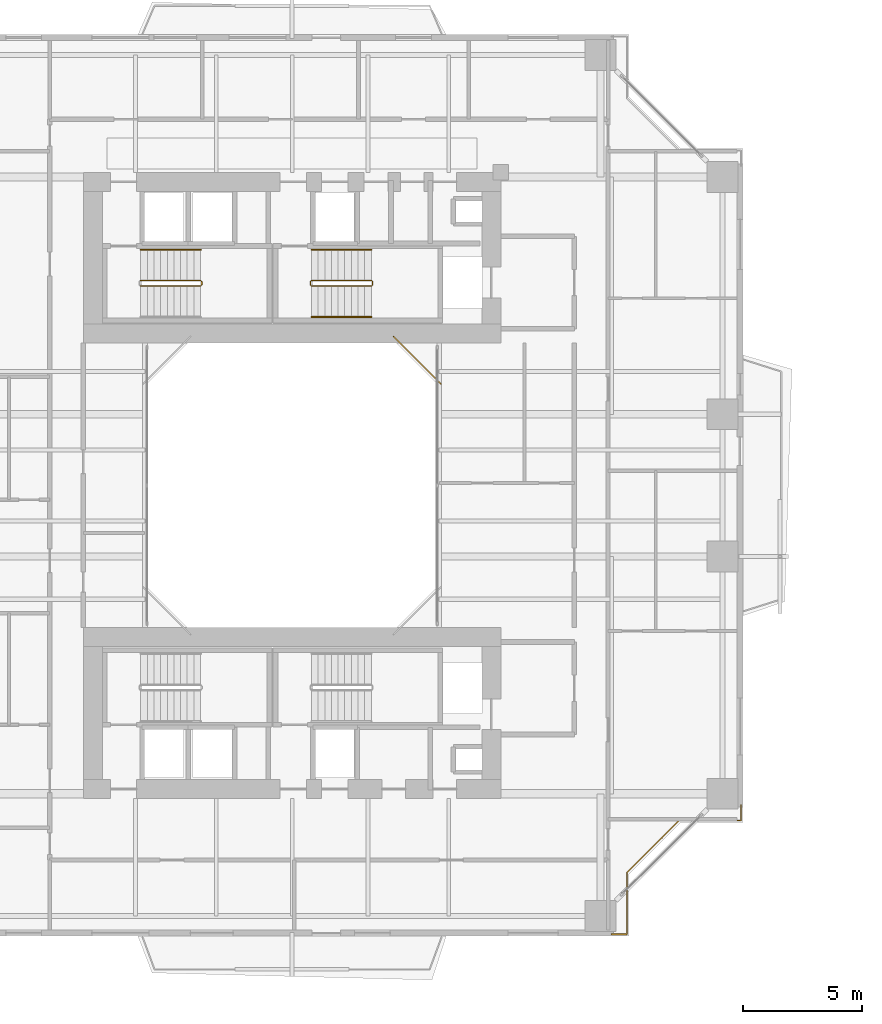
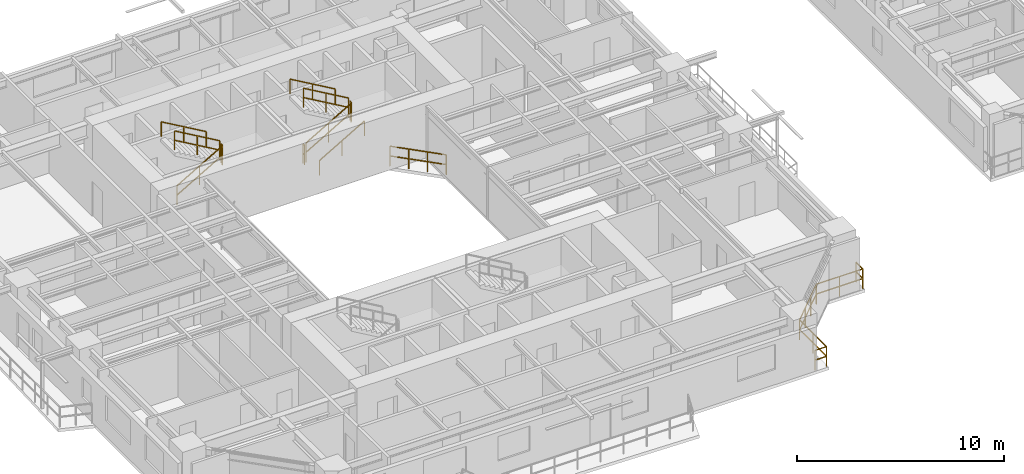
# One storey, part 20 of 24: 12 railings.
"""IFC4 building model written with IfcOpenShell, lengths in metres."""

from ifc_helpers import new_model, si_unit, direction, frame, origin, origin_2d, place, context, subcontext, project, spatial, rectangle, extrude, material, type_object, element, save


model = new_model("IFC4")

# Units and contexts
model_context = context("Model", 3, precision=1e-05, world=origin(), true_north=direction((0.0, 1.0)))
body_context = subcontext(model_context, "Body", "Model", "MODEL_VIEW")
ifc_project = project(units=[si_unit("LENGTHUNIT", "METRE"), si_unit("AREAUNIT", "SQUARE_METRE"), si_unit("VOLUMEUNIT", "CUBIC_METRE"), si_unit("PLANEANGLEUNIT", "RADIAN"), si_unit("MASSUNIT", "GRAM", prefix="KILO"), si_unit("THERMODYNAMICTEMPERATUREUNIT", "KELVIN"), si_unit("POWERUNIT", "WATT")], contexts=[model_context])

# Site, building, storey
site_placement = place(None, origin())
site = spatial("IfcSite", under=ifc_project, at=site_placement, CompositionType="ELEMENT")
building_placement = place(site_placement, origin())
building = spatial("IfcBuilding", under=site, at=building_placement, Name="Qiaomeng Ring Towers", CompositionType="ELEMENT")
storey_placement = place(building_placement, frame((0.0, 0.0, 69.75)))
storey = spatial("IfcBuildingStorey", under=building, at=storey_placement, Name="L19", CompositionType="ELEMENT", Elevation=69.75)

# Railings
ifc_material_1 = material(Name="Low-E pale-green laminated safety glass", Category="glass")
railing_type_1 = type_object("IfcRailingType", Name="ARC-RL-BAL1", PredefinedType="BALUSTRADE", material=ifc_material_1)
railing_1_placement = place(storey_placement, frame((25.280029296875, 27.280029296875, 0.0)))
element("IfcRailing", 1, at=railing_1_placement, inside=storey, type_object=railing_type_1, Name="L19 Balustrade ARC-BAL-WELL1-L19-2", PredefinedType="BALUSTRADE", context=body_context, shape_type="SweptSolid", body=[
    extrude(rectangle(XDim=0.048095703125, YDim=0.048095703125, at=origin_2d()), frame((0.0, 0.0, 1.17578125), z_axis=(-0.707106781187, 0.707106781187, 0.0), x_axis=(-0.707106781187, -0.707106781187, 0.0)), (0.0, 0.0, 1.0), 2.828369140625),
    extrude(rectangle(XDim=0.048095703125, YDim=0.048095703125, at=origin_2d()), frame((0.0, 0.0, 0.60009765625), z_axis=(-0.707106781187, 0.707106781187, 0.0), x_axis=(-0.707106781187, -0.707106781187, 0.0)), (0.0, 0.0, 1.0), 2.828369140625),
    extrude(rectangle(XDim=0.0419921875, YDim=0.0419921875, at=origin_2d()), origin(), (0.0, 0.0, 1.0), 1.15185546875),
    extrude(rectangle(XDim=0.0419921875, YDim=0.0419921875, at=origin_2d()), frame((-0.666748046875, 0.666748046875, 0.0)), (0.0, 0.0, 1.0), 1.15185546875),
    extrude(rectangle(XDim=0.0419921875, YDim=0.0419921875, at=origin_2d()), frame((-1.333251953125, 1.333251953125, 0.0)), (0.0, 0.0, 1.0), 1.15185546875),
    extrude(rectangle(XDim=0.0419921875, YDim=0.0419921875, at=origin_2d()), frame((-2.0, 2.0, 0.0)), (0.0, 0.0, 1.0), 1.15185546875),
])
railing_2_placement = place(storey_placement, frame((32.469970703125, 4.080078125, 0.0)))
element("IfcRailing", 2, at=railing_2_placement, inside=storey, type_object=railing_type_1, Name="L19 Balustrade ARC-BAL-NOTCH1-L19-SE", PredefinedType="BALUSTRADE", context=body_context, shape_type="SweptSolid", body=[
    extrude(rectangle(XDim=0.048095703125, YDim=0.048095703125, at=origin_2d()), frame((0.0, 0.0, 1.17578125), z_axis=(1.0, 0.0, 0.0), x_axis=(0.0, 1.0, 0.0)), (0.0, 0.0, 1.0), 0.650146484375),
    extrude(rectangle(XDim=0.048095703125, YDim=0.048095703125, at=origin_2d()), frame((0.0, 0.0, 0.60009765625), z_axis=(1.0, 0.0, 0.0), x_axis=(0.0, 1.0, 0.0)), (0.0, 0.0, 1.0), 0.650146484375),
    extrude(rectangle(XDim=0.048095703125, YDim=0.048095703125, at=origin_2d()), frame((0.650146484375, 0.0, 1.17578125), z_axis=(0.0, 1.0, 0.0), x_axis=(-1.0, 0.0, 0.0)), (0.0, 0.0, 1.0), 2.599853515625),
    extrude(rectangle(XDim=0.048095703125, YDim=0.048095703125, at=origin_2d()), frame((0.650146484375, 0.0, 0.60009765625), z_axis=(0.0, 1.0, 0.0), x_axis=(-1.0, 0.0, 0.0)), (0.0, 0.0, 1.0), 2.599853515625),
    extrude(rectangle(XDim=0.048095703125, YDim=0.048095703125, at=origin_2d()), frame((0.650146484375, 2.599853515625, 1.17578125), z_axis=(0.707106781187, 0.707106781187, 0.0), x_axis=(-0.707106781187, 0.707106781187, 0.0)), (0.0, 0.0, 1.0), 3.111083984375),
    extrude(rectangle(XDim=0.048095703125, YDim=0.048095703125, at=origin_2d()), frame((0.650146484375, 2.599853515625, 0.60009765625), z_axis=(0.707106781187, 0.707106781187, 0.0), x_axis=(-0.707106781187, 0.707106781187, 0.0)), (0.0, 0.0, 1.0), 3.111083984375),
    extrude(rectangle(XDim=0.048095703125, YDim=0.048095703125, at=origin_2d()), frame((2.85009765625, 4.7998046875, 1.17578125), z_axis=(1.0, 0.0, 0.0), x_axis=(0.0, 1.0, 0.0)), (0.0, 0.0, 1.0), 2.599853515625),
    extrude(rectangle(XDim=0.048095703125, YDim=0.048095703125, at=origin_2d()), frame((2.85009765625, 4.7998046875, 0.60009765625), z_axis=(1.0, 0.0, 0.0), x_axis=(0.0, 1.0, 0.0)), (0.0, 0.0, 1.0), 2.599853515625),
    extrude(rectangle(XDim=0.048095703125, YDim=0.048095703125, at=origin_2d()), frame((5.449951171875, 4.7998046875, 1.17578125), z_axis=(0.0, 1.0, 0.0), x_axis=(-1.0, 0.0, 0.0)), (0.0, 0.0, 1.0), 0.650146484375),
    extrude(rectangle(XDim=0.048095703125, YDim=0.048095703125, at=origin_2d()), frame((5.449951171875, 4.7998046875, 0.60009765625), z_axis=(0.0, 1.0, 0.0), x_axis=(-1.0, 0.0, 0.0)), (0.0, 0.0, 1.0), 0.650146484375),
    extrude(rectangle(XDim=0.0419921875, YDim=0.0419921875, at=origin_2d()), origin(), (0.0, 0.0, 1.0), 1.15185546875),
    extrude(rectangle(XDim=0.0419921875, YDim=0.0419921875, at=origin_2d()), frame((0.650146484375, 0.0, 0.0)), (0.0, 0.0, 1.0), 1.15185546875),
    extrude(rectangle(XDim=0.0419921875, YDim=0.0419921875, at=origin_2d()), frame((0.650146484375, 1.2998046875, 0.0)), (0.0, 0.0, 1.0), 1.15185546875),
    extrude(rectangle(XDim=0.0419921875, YDim=0.0419921875, at=origin_2d()), frame((0.650146484375, 2.599853515625, 0.0)), (0.0, 0.0, 1.0), 1.15185546875),
    extrude(rectangle(XDim=0.0419921875, YDim=0.0419921875, at=origin_2d()), frame((1.383544921875, 3.333251953125, 0.0)), (0.0, 0.0, 1.0), 1.15185546875),
    extrude(rectangle(XDim=0.0419921875, YDim=0.0419921875, at=origin_2d()), frame((2.11669921875, 4.06640625, 0.0)), (0.0, 0.0, 1.0), 1.15185546875),
    extrude(rectangle(XDim=0.0419921875, YDim=0.0419921875, at=origin_2d()), frame((2.85009765625, 4.7998046875, 0.0)), (0.0, 0.0, 1.0), 1.15185546875),
    extrude(rectangle(XDim=0.0419921875, YDim=0.0419921875, at=origin_2d()), frame((4.14990234375, 4.7998046875, 0.0)), (0.0, 0.0, 1.0), 1.15185546875),
    extrude(rectangle(XDim=0.0419921875, YDim=0.0419921875, at=origin_2d()), frame((5.449951171875, 4.7998046875, 0.0)), (0.0, 0.0, 1.0), 1.15185546875),
    extrude(rectangle(XDim=0.0419921875, YDim=0.0419921875, at=origin_2d()), frame((5.449951171875, 5.449951171875, 0.0)), (0.0, 0.0, 1.0), 1.15185546875),
])
ifc_material_2 = material(Name="Galvanised steel", Category="steel")
railing_type_2 = type_object("IfcRailingType", Name="ARC-RL-GUARD", PredefinedType="GUARDRAIL", material=ifc_material_2)
railing_3_placement = place(storey_placement, frame((12.6201171875, 31.39990234375, 0.16259765625)))
element("IfcRailing", 3, at=railing_3_placement, inside=storey, type_object=railing_type_2, Name="L19 ST1 stair guard 1", PredefinedType="GUARDRAIL", context=body_context, shape_type="SweptSolid", body=[
    extrude(rectangle(XDim=0.048095703125, YDim=0.048095703125, at=origin_2d()), frame((0.0, 0.0, 1.1259765625), z_axis=(0.864892226395, 0.0, 0.501957604506), x_axis=(0.0, 1.0, 0.0)), (0.0, 0.0, 1.0), 2.913330078125),
    extrude(rectangle(XDim=0.048095703125, YDim=0.048095703125, at=origin_2d()), frame((0.0, 0.0, 0.574951171875), z_axis=(0.864892226395, 0.0, 0.501957604506), x_axis=(0.0, 1.0, 0.0)), (0.0, 0.0, 1.0), 2.913330078125),
    extrude(rectangle(XDim=0.0419921875, YDim=0.0419921875, at=origin_2d()), origin(), (0.0, 0.0, 1.0), 1.101806640625),
    extrude(rectangle(XDim=0.0419921875, YDim=0.0419921875, at=origin_2d()), frame((1.259765625, 0.0, 0.731201171875)), (0.0, 0.0, 1.0), 1.101806640625),
    extrude(rectangle(XDim=0.0419921875, YDim=0.0419921875, at=origin_2d()), frame((2.519775390625, 0.0, 1.46240234375)), (0.0, 0.0, 1.0), 1.101806640625),
])
railing_4_placement = place(storey_placement, frame((15.18994140625, 31.449951171875, 1.625)))
element("IfcRailing", 4, at=railing_4_placement, inside=storey, type_object=railing_type_2, Name="L19 ST1 stair guard 2", PredefinedType="GUARDRAIL", context=body_context, shape_type="SweptSolid", body=[
    extrude(rectangle(XDim=0.048095703125, YDim=0.048095703125, at=origin_2d()), frame((0.0, 0.0, 1.1259765625), z_axis=(0.0, 1.0, 0.0), x_axis=(-1.0, 0.0, 0.0)), (0.0, 0.0, 1.0), 0.14013671875),
    extrude(rectangle(XDim=0.048095703125, YDim=0.048095703125, at=origin_2d()), frame((0.0, 0.0, 0.574951171875), z_axis=(0.0, 1.0, 0.0), x_axis=(-1.0, 0.0, 0.0)), (0.0, 0.0, 1.0), 0.14013671875),
    extrude(rectangle(XDim=0.0419921875, YDim=0.0419921875, at=origin_2d()), origin(), (0.0, 0.0, 1.0), 1.101806640625),
    extrude(rectangle(XDim=0.0419921875, YDim=0.0419921875, at=origin_2d()), frame((0.0, 0.14013671875, 0.0)), (0.0, 0.0, 1.0), 1.101806640625),
])
railing_5_placement = place(storey_placement, frame((15.139892578125, 31.639892578125, 1.78759765625)))
element("IfcRailing", 5, at=railing_5_placement, inside=storey, type_object=railing_type_2, Name="L19 ST1 stair guard 3", PredefinedType="GUARDRAIL", context=body_context, shape_type="SweptSolid", body=[
    extrude(rectangle(XDim=0.048095703125, YDim=0.048095703125, at=origin_2d()), frame((0.0, 0.0, 1.1259765625), z_axis=(-0.864892226395, 0.0, 0.501957604506), x_axis=(0.0, -1.0, 0.0)), (0.0, 0.0, 1.0), 2.913330078125),
    extrude(rectangle(XDim=0.048095703125, YDim=0.048095703125, at=origin_2d()), frame((0.0, 0.0, 0.574951171875), z_axis=(-0.864892226395, 0.0, 0.501957604506), x_axis=(0.0, -1.0, 0.0)), (0.0, 0.0, 1.0), 2.913330078125),
    extrude(rectangle(XDim=0.0419921875, YDim=0.0419921875, at=origin_2d()), origin(), (0.0, 0.0, 1.0), 1.101806640625),
    extrude(rectangle(XDim=0.0419921875, YDim=0.0419921875, at=origin_2d()), frame((-1.259765625, 0.0, 0.731201171875)), (0.0, 0.0, 1.0), 1.101806640625),
    extrude(rectangle(XDim=0.0419921875, YDim=0.0419921875, at=origin_2d()), frame((-2.519775390625, 0.0, 1.46240234375)), (0.0, 0.0, 1.0), 1.101806640625),
])
railing_6_placement = place(storey_placement, frame((19.820068359375, 31.39990234375, 0.16259765625)))
element("IfcRailing", 6, at=railing_6_placement, inside=storey, type_object=railing_type_2, Name="L19 ST2 stair guard 1", PredefinedType="GUARDRAIL", context=body_context, shape_type="SweptSolid", body=[
    extrude(rectangle(XDim=0.048095703125, YDim=0.048095703125, at=origin_2d()), frame((0.0, 0.0, 1.1259765625), z_axis=(0.864913338283, 0.0, 0.50192122615), x_axis=(0.0, 1.0, 0.0)), (0.0, 0.0, 1.0), 2.91357421875),
    extrude(rectangle(XDim=0.048095703125, YDim=0.048095703125, at=origin_2d()), frame((0.0, 0.0, 0.574951171875), z_axis=(0.864913338283, 0.0, 0.50192122615), x_axis=(0.0, 1.0, 0.0)), (0.0, 0.0, 1.0), 2.91357421875),
    extrude(rectangle(XDim=0.0419921875, YDim=0.0419921875, at=origin_2d()), origin(), (0.0, 0.0, 1.0), 1.101806640625),
    extrude(rectangle(XDim=0.0419921875, YDim=0.0419921875, at=origin_2d()), frame((1.260009765625, 0.0, 0.731201171875)), (0.0, 0.0, 1.0), 1.101806640625),
    extrude(rectangle(XDim=0.0419921875, YDim=0.0419921875, at=origin_2d()), frame((2.52001953125, 0.0, 1.46240234375)), (0.0, 0.0, 1.0), 1.101806640625),
])
railing_7_placement = place(storey_placement, frame((22.389892578125, 31.449951171875, 1.625)))
element("IfcRailing", 7, at=railing_7_placement, inside=storey, type_object=railing_type_2, Name="L19 ST2 stair guard 2", PredefinedType="GUARDRAIL", context=body_context, shape_type="SweptSolid", body=[
    extrude(rectangle(XDim=0.048095703125, YDim=0.048095703125, at=origin_2d()), frame((0.0, 0.0, 1.1259765625), z_axis=(0.0, 1.0, 0.0), x_axis=(-1.0, 0.0, 0.0)), (0.0, 0.0, 1.0), 0.14013671875),
    extrude(rectangle(XDim=0.048095703125, YDim=0.048095703125, at=origin_2d()), frame((0.0, 0.0, 0.574951171875), z_axis=(0.0, 1.0, 0.0), x_axis=(-1.0, 0.0, 0.0)), (0.0, 0.0, 1.0), 0.14013671875),
    extrude(rectangle(XDim=0.0419921875, YDim=0.0419921875, at=origin_2d()), origin(), (0.0, 0.0, 1.0), 1.101806640625),
    extrude(rectangle(XDim=0.0419921875, YDim=0.0419921875, at=origin_2d()), frame((0.0, 0.14013671875, 0.0)), (0.0, 0.0, 1.0), 1.101806640625),
])
railing_8_placement = place(storey_placement, frame((22.340087890625, 31.639892578125, 1.78759765625)))
element("IfcRailing", 8, at=railing_8_placement, inside=storey, type_object=railing_type_2, Name="L19 ST2 stair guard 3", PredefinedType="GUARDRAIL", context=body_context, shape_type="SweptSolid", body=[
    extrude(rectangle(XDim=0.048095703125, YDim=0.048095703125, at=origin_2d()), frame((0.0, 0.0, 1.1259765625), z_axis=(-0.864913338283, 0.0, 0.50192122615), x_axis=(0.0, -1.0, 0.0)), (0.0, 0.0, 1.0), 2.91357421875),
    extrude(rectangle(XDim=0.048095703125, YDim=0.048095703125, at=origin_2d()), frame((0.0, 0.0, 0.574951171875), z_axis=(-0.864913338283, 0.0, 0.50192122615), x_axis=(0.0, -1.0, 0.0)), (0.0, 0.0, 1.0), 2.91357421875),
    extrude(rectangle(XDim=0.0419921875, YDim=0.0419921875, at=origin_2d()), origin(), (0.0, 0.0, 1.0), 1.101806640625),
    extrude(rectangle(XDim=0.0419921875, YDim=0.0419921875, at=origin_2d()), frame((-1.260009765625, 0.0, 0.731201171875)), (0.0, 0.0, 1.0), 1.101806640625),
    extrude(rectangle(XDim=0.0419921875, YDim=0.0419921875, at=origin_2d()), frame((-2.52001953125, 0.0, 1.46240234375)), (0.0, 0.0, 1.0), 1.101806640625),
])
railing_9_placement = place(storey_placement, frame((19.77001953125, 31.449951171875, 0.0)))
element("IfcRailing", 9, at=railing_9_placement, inside=storey, type_object=railing_type_2, Name="L19 ST2 stair guard 4", PredefinedType="GUARDRAIL", context=body_context, shape_type="SweptSolid", body=[
    extrude(rectangle(XDim=0.048095703125, YDim=0.048095703125, at=origin_2d()), frame((0.0, 0.0, 1.1259765625), z_axis=(0.0, 1.0, 0.0), x_axis=(-1.0, 0.0, 0.0)), (0.0, 0.0, 1.0), 0.14013671875),
    extrude(rectangle(XDim=0.048095703125, YDim=0.048095703125, at=origin_2d()), frame((0.0, 0.0, 0.574951171875), z_axis=(0.0, 1.0, 0.0), x_axis=(-1.0, 0.0, 0.0)), (0.0, 0.0, 1.0), 0.14013671875),
    extrude(rectangle(XDim=0.0419921875, YDim=0.0419921875, at=origin_2d()), origin(), (0.0, 0.0, 1.0), 1.101806640625),
    extrude(rectangle(XDim=0.0419921875, YDim=0.0419921875, at=origin_2d()), frame((0.0, 0.14013671875, 0.0)), (0.0, 0.0, 1.0), 1.101806640625),
])
ifc_material_3 = material(Name="Stainless steel 316", Category="steel")
railing_type_3 = type_object("IfcRailingType", Name="ARC-RL-HAND", PredefinedType="HANDRAIL", material=ifc_material_3)
railing_10_placement = place(storey_placement, frame((15.139892578125, 32.93994140625, 1.78759765625)))
element("IfcRailing", 10, at=railing_10_placement, inside=storey, type_object=railing_type_3, Name="L19 ST1 stair handrail 2", PredefinedType="HANDRAIL", context=body_context, shape_type="SweptSolid", body=[
    extrude(rectangle(XDim=0.048095703125, YDim=0.048095703125, at=origin_2d()), frame((0.0, 0.0, 0.8759765625), z_axis=(-0.864892226395, 0.0, 0.501957604506), x_axis=(0.0, -1.0, 0.0)), (0.0, 0.0, 1.0), 2.913330078125),
    extrude(rectangle(XDim=0.0419921875, YDim=0.0419921875, at=origin_2d()), origin(), (0.0, 0.0, 1.0), 0.851806640625),
    extrude(rectangle(XDim=0.0419921875, YDim=0.0419921875, at=origin_2d()), frame((-1.259765625, 0.0, 0.731201171875)), (0.0, 0.0, 1.0), 0.851806640625),
    extrude(rectangle(XDim=0.0419921875, YDim=0.0419921875, at=origin_2d()), frame((-2.519775390625, 0.0, 1.46240234375)), (0.0, 0.0, 1.0), 0.851806640625),
])
railing_11_placement = place(storey_placement, frame((19.820068359375, 30.10009765625, 0.16259765625)))
element("IfcRailing", 11, at=railing_11_placement, inside=storey, type_object=railing_type_3, Name="L19 ST2 stair handrail 1", PredefinedType="HANDRAIL", context=body_context, shape_type="SweptSolid", body=[
    extrude(rectangle(XDim=0.048095703125, YDim=0.048095703125, at=origin_2d()), frame((0.0, 0.0, 0.8759765625), z_axis=(0.864913338283, 0.0, 0.50192122615), x_axis=(0.0, 1.0, 0.0)), (0.0, 0.0, 1.0), 2.91357421875),
    extrude(rectangle(XDim=0.0419921875, YDim=0.0419921875, at=origin_2d()), origin(), (0.0, 0.0, 1.0), 0.851806640625),
    extrude(rectangle(XDim=0.0419921875, YDim=0.0419921875, at=origin_2d()), frame((1.260009765625, 0.0, 0.731201171875)), (0.0, 0.0, 1.0), 0.851806640625),
    extrude(rectangle(XDim=0.0419921875, YDim=0.0419921875, at=origin_2d()), frame((2.52001953125, 0.0, 1.46240234375)), (0.0, 0.0, 1.0), 0.851806640625),
])
railing_12_placement = place(storey_placement, frame((22.340087890625, 32.93994140625, 1.78759765625)))
element("IfcRailing", 12, at=railing_12_placement, inside=storey, type_object=railing_type_3, Name="L19 ST2 stair handrail 2", PredefinedType="HANDRAIL", context=body_context, shape_type="SweptSolid", body=[
    extrude(rectangle(XDim=0.048095703125, YDim=0.048095703125, at=origin_2d()), frame((0.0, 0.0, 0.8759765625), z_axis=(-0.864913338283, 0.0, 0.50192122615), x_axis=(0.0, -1.0, 0.0)), (0.0, 0.0, 1.0), 2.91357421875),
    extrude(rectangle(XDim=0.0419921875, YDim=0.0419921875, at=origin_2d()), origin(), (0.0, 0.0, 1.0), 0.851806640625),
    extrude(rectangle(XDim=0.0419921875, YDim=0.0419921875, at=origin_2d()), frame((-1.260009765625, 0.0, 0.731201171875)), (0.0, 0.0, 1.0), 0.851806640625),
    extrude(rectangle(XDim=0.0419921875, YDim=0.0419921875, at=origin_2d()), frame((-2.52001953125, 0.0, 1.46240234375)), (0.0, 0.0, 1.0), 0.851806640625),
])

save(model, "model.ifc")
